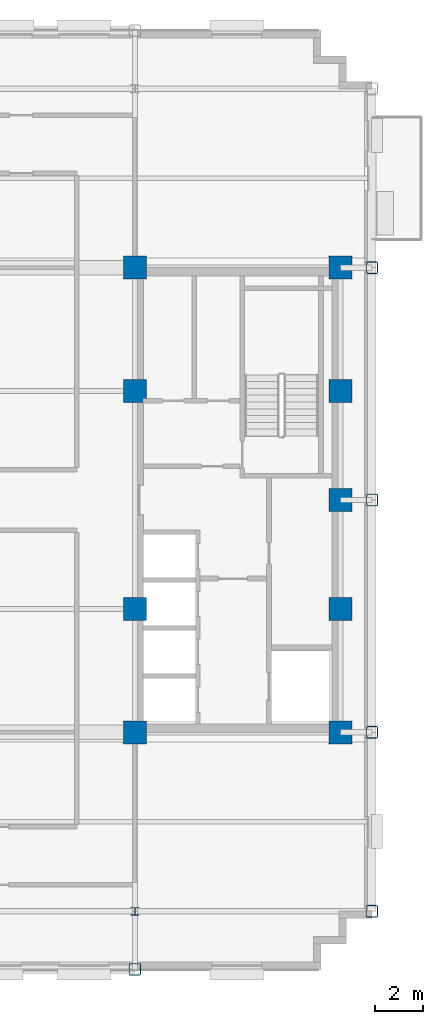
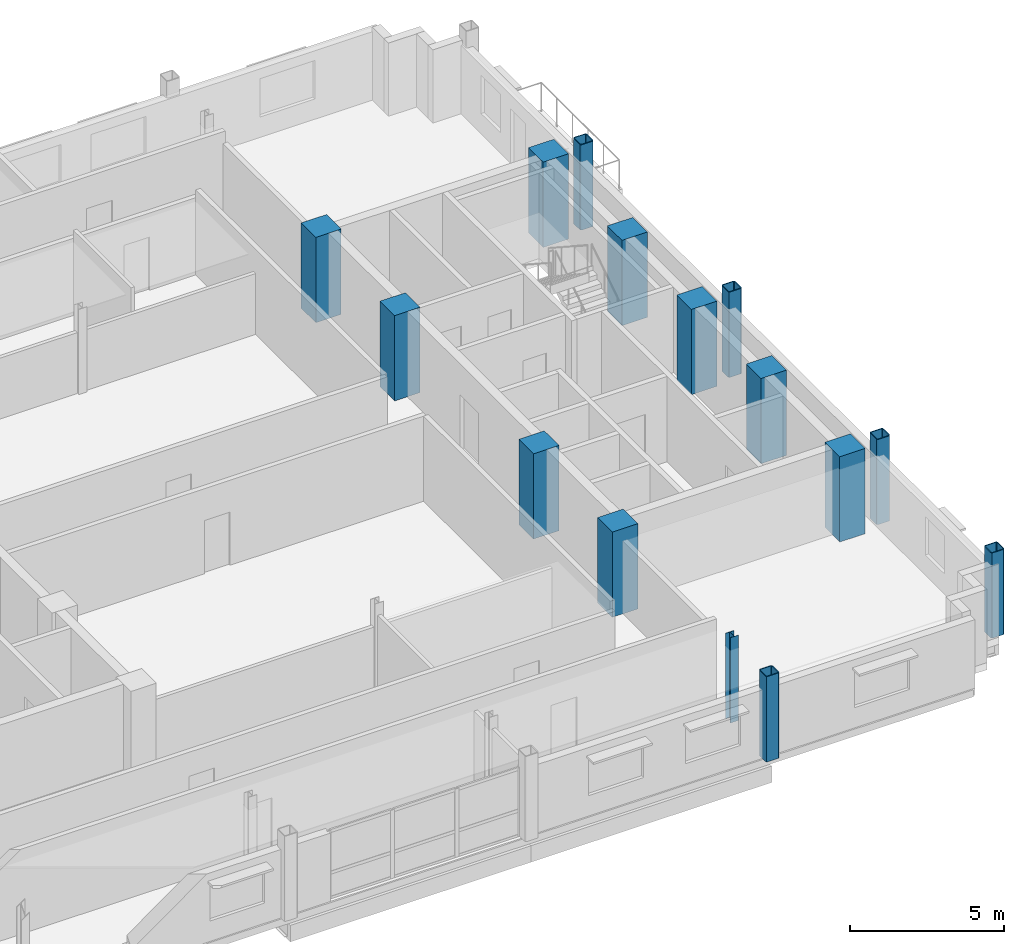
# One storey, part 2 of 15: 15 columns.
"""IFC4 building model written with IfcOpenShell, lengths in metres."""

from ifc_helpers import new_model, si_unit, direction, frame, origin, origin_2d, place, context, subcontext, project, spatial, rectangle, hollow_rectangle, i_section, extrude, material, material_profile, profile_set, type_object, element, save


model = new_model("IFC4")

# Units and contexts
model_context = context("Model", 3, precision=1e-05, world=origin(), true_north=direction((0.0, 1.0)))
body_context = subcontext(model_context, "Body", "Model", "MODEL_VIEW")
ifc_project = project(units=[si_unit("LENGTHUNIT", "METRE"), si_unit("AREAUNIT", "SQUARE_METRE"), si_unit("VOLUMEUNIT", "CUBIC_METRE"), si_unit("PLANEANGLEUNIT", "RADIAN"), si_unit("MASSUNIT", "GRAM", prefix="KILO")], contexts=[model_context])

# Site, building, storey
site_placement = place(None, origin())
site = spatial("IfcSite", under=ifc_project, at=site_placement, CompositionType="ELEMENT")
building_placement = place(site_placement, origin())
building = spatial("IfcBuilding", under=site, at=building_placement, Name="Nuvemarco Arch Tower", CompositionType="ELEMENT")
storey_placement = place(building_placement, frame((0.0, 0.0, 223.75)))
storey = spatial("IfcBuildingStorey", under=building, at=storey_placement, Name="L59", CompositionType="ELEMENT", Elevation=223.75)

# Columns
ifc_material_1 = material(Name="Concrete C50/60", Category="concrete")
ifc_material_profile_1 = material_profile(ifc_material_1, rectangle(XDim=0.949951171875, YDim=0.949951171875, at=origin_2d()), Name="RC-COL-950x950")
ifc_profile_set_1 = profile_set([ifc_material_profile_1], Name="Concrete C50/60")
column_type_1 = type_object("IfcColumnType", Name="COL-CORE-950", PredefinedType="COLUMN", material=ifc_profile_set_1)
for number, where, z_axis, x_axis, name in (
    (1, (9.0, -9.60009765625, 0.0), (0.0, 0.0, 1.0), (1.0, 0.0, 0.0), "L59 column CC_+9.0_-9.6"),
    (2, (9.0, -4.5, 0.0), (0.0, 0.0, 1.0), (1.0, 0.0, 0.0), "L59 column CC_+9.0_-4.5"),
    (3, (9.0, 4.5, 0.0), (0.0, 0.0, 1.0), (1.0, 0.0, 0.0), "L59 column CC_+9.0_+4.5"),
    (4, (9.0, 9.60009765625, 0.0), (0.0, 0.0, 1.0), (1.0, 0.0, 0.0), "L59 column CC_+9.0_+9.6"),
    (5, (17.5, -9.60009765625, 0.0), (0.0, 0.0, 1.0), (1.0, 0.0, 0.0), "L59 column CC_+17.5_-9.6"),
    (6, (17.5, -4.5, 0.0), (0.0, 0.0, 1.0), (1.0, 0.0, 0.0), "L59 column CC_+17.5_-4.5"),
    (7, (17.5, 4.5, 0.0), (0.0, 0.0, 1.0), (1.0, 0.0, 0.0), "L59 column CC_+17.5_+4.5"),
    (8, (17.5, 9.60009765625, 0.0), (0.0, 0.0, 1.0), (1.0, 0.0, 0.0), "L59 column CC_+17.5_+9.6"),
    (9, (17.5, 0.0, 0.0), (0.0, 0.0, 1.0), (1.0, 0.0, 0.0), "L59 column CC_+17.5_+0.0"),
):
    element("IfcColumn", number, at=place(storey_placement, frame(where, z_axis=z_axis, x_axis=x_axis)), inside=storey, type_object=column_type_1, Name=name, PredefinedType="COLUMN", context=body_context, shape_type="SweptSolid", body=[
        extrude(rectangle(XDim=0.949951171875, YDim=0.949951171875, at=origin_2d()), origin(), (0.0, 0.0, 1.0), 3.3701171875),
    ])
ifc_material_2 = material(Name="Steel S355", Category="steel")
ifc_material_profile_2 = material_profile(ifc_material_2, hollow_rectangle(XDim=0.5, YDim=0.5, WallThickness=0.031982421875, InnerFilletRadius=0.031982421875, OuterFilletRadius=0.06396484375, at=origin_2d()), Name="SHS500x500x32")
ifc_profile_set_2 = profile_set([ifc_material_profile_2], Name="Steel S355")
column_type_2 = type_object("IfcColumnType", Name="COL-EXO-500", PredefinedType="COLUMN", material=ifc_profile_set_2)
for number, where, z_axis, x_axis, name in (
    (10, (18.800048828125, -17.0, 0.0), (0.0, 0.0, 1.0), (1.0, 0.0, 0.0), "L59 column CX_+18.8_-17.0"),
    (11, (18.800048828125, -9.60009765625, 0.0), (0.0, 0.0, 1.0), (1.0, 0.0, 0.0), "L59 column CX_+18.8_-9.6"),
    (12, (18.800048828125, 0.0, 0.0), (0.0, 0.0, 1.0), (1.0, 0.0, 0.0), "L59 column CX_+18.8_+0.0"),
    (13, (18.800048828125, 9.60009765625, 0.0), (0.0, 0.0, 1.0), (1.0, 0.0, 0.0), "L59 column CX_+18.8_+9.6"),
    (14, (9.0, -19.39990234375, 0.0), (0.0, 0.0, 1.0), (1.0, 0.0, 0.0), "L59 column CY_+9.0_-19.4"),
):
    element("IfcColumn", number, at=place(storey_placement, frame(where, z_axis=z_axis, x_axis=x_axis)), inside=storey, type_object=column_type_2, Name=name, PredefinedType="COLUMN", context=body_context, shape_type="SweptSolid", body=[
        extrude(hollow_rectangle(XDim=0.5, YDim=0.5, WallThickness=0.031982421875, InnerFilletRadius=0.031982421875, OuterFilletRadius=0.06396484375, at=origin_2d()), origin(), (0.0, 0.0, 1.0), 3.3701171875),
    ])
ifc_material_profile_3 = material_profile(ifc_material_2, i_section(OverallWidth=0.31005859375, OverallDepth=0.31005859375, WebThickness=0.015380859375, FlangeThickness=0.015380859375, FilletRadius=0.014892578125, at=origin_2d()), Name="HP310x110")
ifc_profile_set_3 = profile_set([ifc_material_profile_3], Name="Steel S355")
column_type_3 = type_object("IfcColumnType", Name="COL-STL-HP310", PredefinedType="COLUMN", material=ifc_profile_set_3)
column_placement = place(storey_placement, frame((9.0, -17.0, 0.0), z_axis=(0.0, 0.0, 1.0), x_axis=(1.0, 0.0, 0.0)))
element("IfcColumn", 15, at=column_placement, inside=storey, type_object=column_type_3, Name="L59 column CI_+9.0_-17.0", PredefinedType="COLUMN", context=body_context, shape_type="SweptSolid", body=[
    extrude(i_section(OverallWidth=0.31005859375, OverallDepth=0.31005859375, WebThickness=0.015380859375, FlangeThickness=0.015380859375, FilletRadius=0.014892578125, at=origin_2d()), origin(), (0.0, 0.0, 1.0), 3.3701171875),
])

save(model, "model.ifc")
